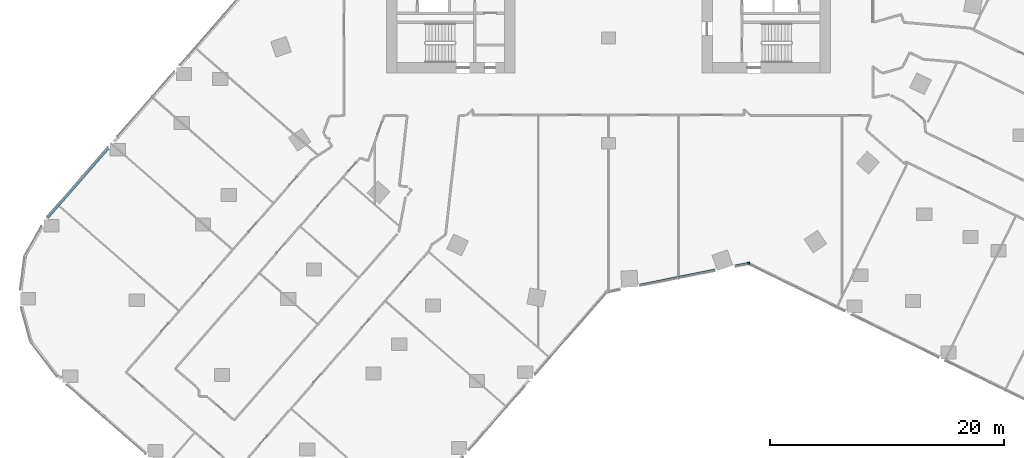
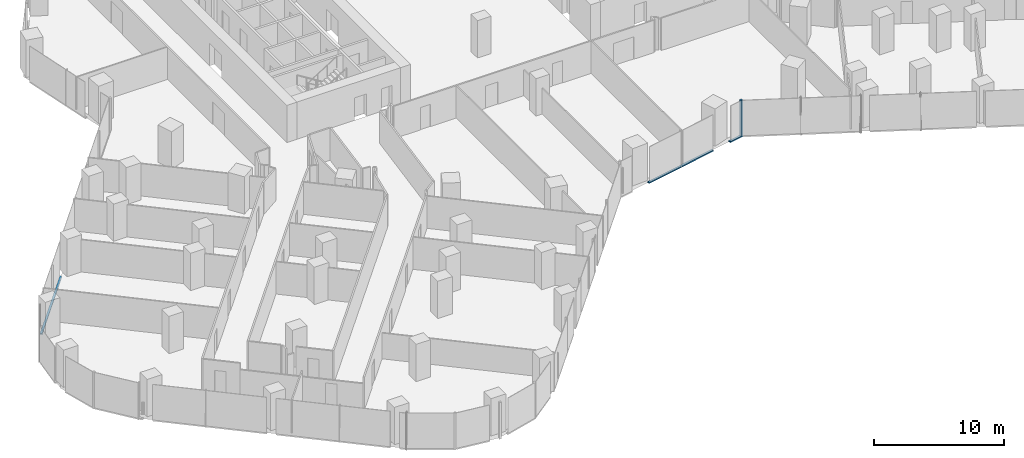
# One storey, part 5 of 38: 4 members, 2 elements without a shape of their own.
"""IFC4 building model written with IfcOpenShell, lengths in metres."""

from ifc_helpers import new_model, si_unit, direction, frame, origin, origin_2d, place, context, subcontext, project, spatial, rectangle, extrude, material, material_profile, profile_set, type_object, element, aggregate, save


model = new_model("IFC4")

# Units and contexts
model_context = context("Model", 3, precision=1e-05, world=origin(), true_north=direction((0.0, 1.0)))
body_context = subcontext(model_context, "Body", "Model", "MODEL_VIEW")
ifc_project = project(units=[si_unit("LENGTHUNIT", "METRE"), si_unit("AREAUNIT", "SQUARE_METRE"), si_unit("VOLUMEUNIT", "CUBIC_METRE"), si_unit("PLANEANGLEUNIT", "RADIAN"), si_unit("MASSUNIT", "GRAM", prefix="KILO")], contexts=[model_context])

# Site, building, storey
site_placement = place(None, origin())
site = spatial("IfcSite", under=ifc_project, at=site_placement, CompositionType="ELEMENT")
building_placement = place(site_placement, origin())
building = spatial("IfcBuilding", under=site, at=building_placement, Name="Orlundy Tower", CompositionType="ELEMENT")
storey_placement = place(building_placement, frame((0.0, 0.0, 69.300048828125)))
storey = spatial("IfcBuildingStorey", under=building, at=storey_placement, Name="L16", CompositionType="ELEMENT", Elevation=69.300048828125)

# Curtain wall, members
ifc_material_1 = material(Name="Aluminium bronze anodised", Category="aluminium")
curtain_wall_type = type_object("IfcCurtainWallType", Name="CW1 wall", PredefinedType="NOTDEFINED", material=ifc_material_1)
curtain_wall_1_placement = place(storey_placement, origin())
curtain_wall_1 = element("IfcCurtainWall", 1, at=curtain_wall_1_placement, inside=storey, type_object=curtain_wall_type, Name="CW1 run 01", PredefinedType="NOTDEFINED")
ifc_material_2 = material(Name="Aluminium bronze anodised", Category="aluminium")
ifc_material_profile_1 = material_profile(ifc_material_2, rectangle(XDim=0.179931640625, YDim=0.179931640625, at=origin_2d()), Name="CW1 corner post 180x180")
ifc_profile_set_1 = profile_set([ifc_material_profile_1], Name="Aluminium bronze anodised")
member_type_1 = type_object("IfcMemberType", Name="CW1 corner post 180x180", PredefinedType="MULLION", material=ifc_profile_set_1)
member_1_placement = place(storey_placement, frame((12.004638671875, -28.2822265625, -0.400146484375), z_axis=(0.0, 0.0, 1.0), x_axis=(0.196531950572, -0.980497420907, 0.0)))
member_1 = element("IfcMember", 2, at=member_1_placement, type_object=member_type_1, Name="CW1 mullion 7", PredefinedType="MULLION", context=body_context, shape_type="SweptSolid", body=[
    extrude(rectangle(XDim=0.179931640625, YDim=0.179931640625, at=origin_2d()), origin(), (0.0, 0.0, 1.0), 3.4501953125),
])
ifc_material_3 = material(Name="Aluminium bronze anodised", Category="aluminium")
ifc_material_profile_2 = material_profile(ifc_material_3, rectangle(XDim=0.179931640625, YDim=0.1201171875, at=origin_2d()), Name="CW1 transom 180x120")
ifc_profile_set_2 = profile_set([ifc_material_profile_2], Name="Aluminium bronze anodised")
member_type_2 = type_object("IfcMemberType", Name="CW1 transom 180x120", PredefinedType="USERDEFINED", material=ifc_profile_set_2)
member_2_placement = place(storey_placement, frame((11.91650390625, -28.300048828125, -0.340087890625), z_axis=(-0.980512926843, -0.19645457565, 0.0), x_axis=(0.19645457565, -0.980512926843, 0.0)))
member_2 = element("IfcMember", 3, at=member_2_placement, type_object=member_type_2, Name="CW1 transom", ObjectType="TRANSOM", PredefinedType="USERDEFINED", context=body_context, shape_type="SweptSolid", body=[
    extrude(rectangle(XDim=0.179931640625, YDim=0.1201171875, at=origin_2d()), origin(), (0.0, 0.0, 1.0), 1.10986328125),
])
member_3_placement = place(storey_placement, frame((9.145751953125, -28.855224609375, -0.340087890625), z_axis=(-0.980497994335, -0.196529089719, 0.0), x_axis=(0.196529089719, -0.980497994335, 0.0)))
member_3 = element("IfcMember", 4, at=member_3_placement, type_object=member_type_2, Name="CW1 transom", ObjectType="TRANSOM", PredefinedType="USERDEFINED", context=body_context, shape_type="SweptSolid", body=[
    extrude(rectangle(XDim=0.179931640625, YDim=0.1201171875, at=origin_2d()), origin(), (0.0, 0.0, 1.0), 6.593994140625),
])
aggregate(curtain_wall_1, [member_1, member_2, member_3])

# Curtain wall, member
curtain_wall_2_placement = place(storey_placement, origin())
curtain_wall_2 = element("IfcCurtainWall", 5, at=curtain_wall_2_placement, inside=storey, type_object=curtain_wall_type, Name="CW1 run 012", PredefinedType="NOTDEFINED")
member_4_placement = place(storey_placement, frame((-47.999267578125, -24.373046875, -0.340087890625), z_axis=(0.658259054691, 0.752791483026, 0.0), x_axis=(-0.752791483026, 0.658259054691, 0.0)))
member_4 = element("IfcMember", 6, at=member_4_placement, type_object=member_type_2, Name="CW1 transom", ObjectType="TRANSOM", PredefinedType="USERDEFINED", context=body_context, shape_type="SweptSolid", body=[
    extrude(rectangle(XDim=0.179931640625, YDim=0.1201171875, at=origin_2d()), origin(), (0.0, 0.0, 1.0), 7.884765625),
])
aggregate(curtain_wall_2, [member_4])

save(model, "model.ifc")
